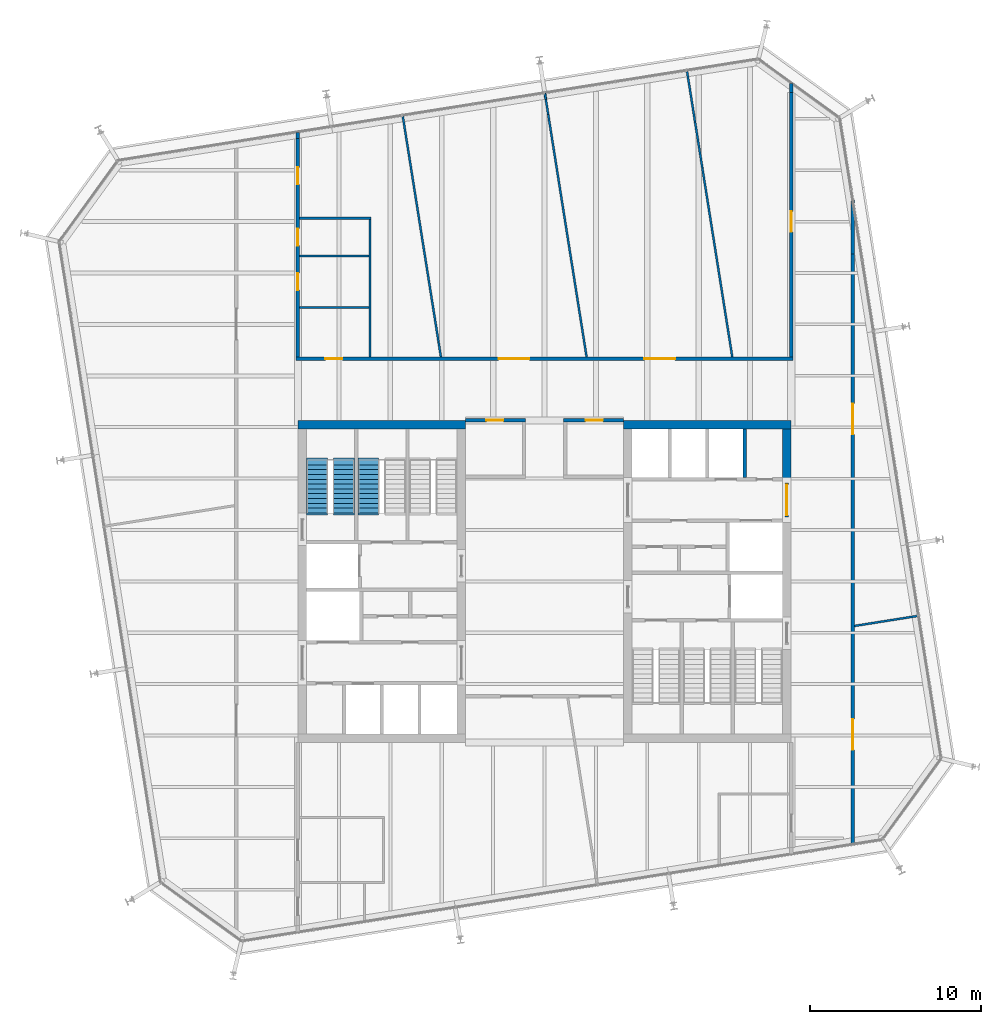
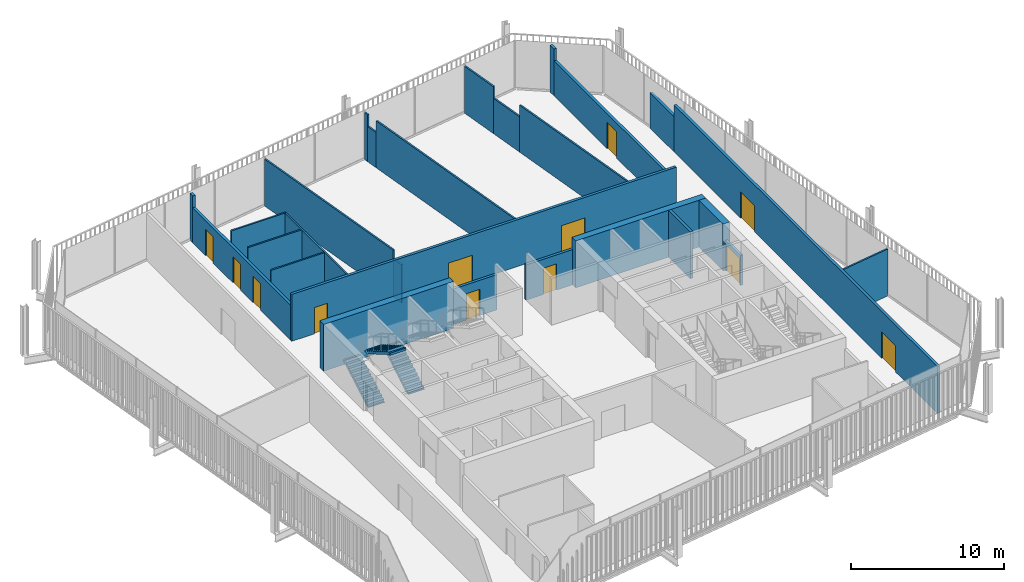
# One storey, part 18 of 20: 27 walls, 12 doors, 3 stair flights, 12 openings, 2 elements without a shape of their own.
"""IFC4 building model written with IfcOpenShell, lengths in metres."""

from ifc_helpers import new_model, si_unit, direction, frame, frame_2d, origin, place, context, subcontext, project, spatial, polyline, rectangle, outline, extrude, material, layer, layer_set, type_object, element, fill, aggregate, save


model = new_model("IFC4")

# Units and contexts
model_context = context("Model", 3, precision=1e-05, world=origin(), true_north=direction((0.0, 1.0)))
body_context = subcontext(model_context, "Body", "Model", "MODEL_VIEW")
ifc_project = project(units=[si_unit("LENGTHUNIT", "METRE"), si_unit("AREAUNIT", "SQUARE_METRE"), si_unit("VOLUMEUNIT", "CUBIC_METRE"), si_unit("PLANEANGLEUNIT", "RADIAN"), si_unit("MASSUNIT", "GRAM", prefix="KILO")], contexts=[model_context])

# Site, building, storey
site_placement = place(None, origin())
site = spatial("IfcSite", under=ifc_project, at=site_placement, CompositionType="ELEMENT")
building_placement = place(site_placement, origin())
building = spatial("IfcBuilding", under=site, at=building_placement, Name="Millrace Tower", CompositionType="ELEMENT")
storey_placement = place(building_placement, frame((0.0, 0.0, 216.39990234375)))
storey = spatial("IfcBuildingStorey", under=building, at=storey_placement, Name="L49", CompositionType="ELEMENT", Elevation=216.39990234375)

# Walls
ifc_material_1 = material(Name="Concrete C60", Category="concrete")
ifc_layer_1 = layer(ifc_material_1, 0.5)
ifc_layer_set_1 = layer_set([ifc_layer_1], Name="Concrete C60")
wall_type_1 = type_object("IfcWallType", Name="Core wall 500 Concrete C60", PredefinedType="SHEAR", material=ifc_layer_set_1)
for number, where, z_axis, x_axis, name in (
    (1, (-14.39990234375, 9.14990234375, 0.0), (0.0, 0.0, 1.0), (1.0, 0.0, 0.0), "Core wall W L49"),
    (2, (14.39990234375, 9.14990234375, 0.0), (0.0, 0.0, 1.0), (-1.0, 0.0, 0.0), "Core wall E L49"),
):
    element("IfcWall", number, at=place(storey_placement, frame(where, z_axis=z_axis, x_axis=x_axis)), inside=storey, type_object=wall_type_1, Name=name, PredefinedType="SHEAR", context=body_context, shape_type="SweptSolid", body=[
        extrude(rectangle(XDim=9.7998046875, YDim=0.5, at=frame_2d((4.89990234375, 0.0))), origin(), (0.0, 0.0, 1.0), 3.739990234375),
    ])
wall_1_placement = place(storey_placement, frame((14.14990234375, 8.89990234375, 0.0), z_axis=(0.0, 0.0, 1.0), x_axis=(0.0, -1.0, 0.0)))
element("IfcWall", 3, at=wall_1_placement, inside=storey, type_object=wall_type_1, Name="Core wall E L49", PredefinedType="SHEAR", context=body_context, shape_type="SweptSolid", body=[
    extrude(rectangle(XDim=3.14990234375, YDim=0.5, at=frame_2d((1.574951171875, 0.0))), origin(), (0.0, 0.0, 1.0), 3.739990234375),
])

# Wall, opening, door
ifc_material_2 = material(Name="Masonry partition, fire-rated", Category="masonry")
ifc_layer_2 = layer(ifc_material_2, 0.199951171875)
ifc_layer_set_2 = layer_set([ifc_layer_2], Name="Masonry partition, fire-rated")
wall_type_2 = type_object("IfcWallType", Name="Corridor wall 200", PredefinedType="PARTITIONING", material=ifc_layer_set_2)
wall_2_placement = place(storey_placement, frame((-4.60009765625, 9.39990234375, 0.0), z_axis=(0.0, 0.0, 1.0), x_axis=(1.0, 0.0, 0.0)))
wall_2 = element("IfcWall", 4, at=wall_2_placement, inside=storey, type_object=wall_type_2, Name="Corridor wall L49", PredefinedType="PARTITIONING", context=body_context, shape_type="SweptSolid", body=[
    extrude(rectangle(XDim=3.5, YDim=0.199951171875, at=frame_2d((1.75, 0.0))), origin(), (0.0, 0.0, 1.0), 2.81298828125),
])
opening_1_placement = place(wall_2_placement, frame((1.199951171875, 0.0, 0.0)))
opening_1 = element("IfcOpeningElement", 5, at=opening_1_placement, cuts=wall_2, Name="Opening 49-P001", PredefinedType="OPENING", context=body_context, shape_type="SweptSolid", body=[
    extrude(rectangle(XDim=1.0, YDim=2.10009765625, at=frame_2d((0.5, 1.050048828125))), frame((0.0, 0.10986328125, 0.0), z_axis=(0.0, -1.0, 0.0), x_axis=(1.0, 0.0, 0.0)), (0.0, 0.0, 1.0), 0.219970703125),
])
ifc_material_3 = material(Name="Steel door set, fire-rated", Category="steel")
door_type_1 = type_object("IfcDoorType", Name="Corridor door 1000 x 2100", OperationType="SINGLE_SWING_LEFT", PredefinedType="DOOR", material=ifc_material_3)
door_1_placement = place(opening_1_placement, frame((1.0, 0.0, 0.0), z_axis=(0.0, 0.0, 1.0), x_axis=(-1.0, 0.0, 0.0)))
door_1 = element("IfcDoor", 6, at=door_1_placement, inside=storey, type_object=door_type_1, Name="Door 49-P001", OperationType="SINGLE_SWING_RIGHT", OverallHeight=2.10009765625, OverallWidth=1.0, PredefinedType="DOOR", context=body_context, shape_type="SweptSolid", body=[
    extrude(rectangle(XDim=1.0, YDim=2.10009765625, at=frame_2d((0.5, 1.050048828125))), frame((0.0, 0.02490234375, 0.0), z_axis=(0.0, -1.0, 0.0), x_axis=(1.0, 0.0, 0.0)), (0.0, 0.0, 1.0), 0.050048828125),
])
fill(opening_1, door_1)

wall_3_placement = place(storey_placement, frame((1.10009765625, 9.39990234375, 0.0), z_axis=(0.0, 0.0, 1.0), x_axis=(1.0, 0.0, 0.0)))
wall_3 = element("IfcWall", 7, at=wall_3_placement, inside=storey, type_object=wall_type_2, Name="Corridor wall L49", PredefinedType="PARTITIONING", context=body_context, shape_type="SweptSolid", body=[
    extrude(rectangle(XDim=3.5, YDim=0.199951171875, at=frame_2d((1.75, 0.0))), origin(), (0.0, 0.0, 1.0), 2.81298828125),
])
opening_2_placement = place(wall_3_placement, frame((1.300048828125, 0.0, 0.0)))
opening_2 = element("IfcOpeningElement", 8, at=opening_2_placement, cuts=wall_3, Name="Opening 49-P002", PredefinedType="OPENING", context=body_context, shape_type="SweptSolid", body=[
    extrude(rectangle(XDim=1.0, YDim=2.10009765625, at=frame_2d((0.5, 1.050048828125))), frame((0.0, 0.10986328125, 0.0), z_axis=(0.0, -1.0, 0.0), x_axis=(1.0, 0.0, 0.0)), (0.0, 0.0, 1.0), 0.219970703125),
])
door_2_placement = place(opening_2_placement, frame((1.0, 0.0, 0.0), z_axis=(0.0, 0.0, 1.0), x_axis=(-1.0, 0.0, 0.0)))
door_2 = element("IfcDoor", 9, at=door_2_placement, inside=storey, type_object=door_type_1, Name="Door 49-P002", OperationType="SINGLE_SWING_RIGHT", OverallHeight=2.10009765625, OverallWidth=1.0, PredefinedType="DOOR", context=body_context, shape_type="SweptSolid", body=[
    extrude(rectangle(XDim=1.0, YDim=2.10009765625, at=frame_2d((0.5, 1.050048828125))), frame((0.0, 0.02490234375, 0.0), z_axis=(0.0, -1.0, 0.0), x_axis=(1.0, 0.0, 0.0)), (0.0, 0.0, 1.0), 0.050048828125),
])
fill(opening_2, door_2)

# Wall, openings, doors
wall_4_placement = place(storey_placement, frame((-14.5, 13.0, 0.0), z_axis=(0.0, 0.0, 1.0), x_axis=(1.0, 0.0, 0.0)))
wall_4 = element("IfcWall", 10, at=wall_4_placement, inside=storey, type_object=wall_type_2, Name="Corridor wall L49", PredefinedType="PARTITIONING", context=body_context, shape_type="SweptSolid", body=[
    extrude(rectangle(XDim=29.0, YDim=0.199951171875, at=frame_2d((14.5, 0.0))), origin(), (0.0, 0.0, 1.0), 3.739990234375),
])
opening_3_placement = place(wall_4_placement, frame((1.699951171875, 0.0, 0.0)))
opening_3 = element("IfcOpeningElement", 11, at=opening_3_placement, cuts=wall_4, Name="Opening 49-P006", PredefinedType="OPENING", context=body_context, shape_type="SweptSolid", body=[
    extrude(rectangle(XDim=1.0, YDim=2.10009765625, at=frame_2d((0.5, 1.050048828125))), frame((0.0, 0.10986328125, 0.0), z_axis=(0.0, -1.0, 0.0), x_axis=(1.0, 0.0, 0.0)), (0.0, 0.0, 1.0), 0.219970703125),
])
opening_4_placement = place(wall_4_placement, frame((11.819580078125, 0.0, 0.0)))
opening_4 = element("IfcOpeningElement", 12, at=opening_4_placement, cuts=wall_4, Name="Opening 49-P009", PredefinedType="OPENING", context=body_context, shape_type="SweptSolid", body=[
    extrude(rectangle(XDim=1.800048828125, YDim=2.10009765625, at=frame_2d((0.89990234375, 1.050048828125))), frame((0.0, 0.10986328125, 0.0), z_axis=(0.0, -1.0, 0.0), x_axis=(1.0, 0.0, 0.0)), (0.0, 0.0, 1.0), 0.219970703125),
])
opening_5_placement = place(wall_4_placement, frame((20.324462890625, 0.0, 0.0)))
opening_5 = element("IfcOpeningElement", 13, at=opening_5_placement, cuts=wall_4, Name="Opening 49-P010", PredefinedType="OPENING", context=body_context, shape_type="SweptSolid", body=[
    extrude(rectangle(XDim=1.800048828125, YDim=2.10009765625, at=frame_2d((0.89990234375, 1.050048828125))), frame((0.0, 0.10986328125, 0.0), z_axis=(0.0, -1.0, 0.0), x_axis=(1.0, 0.0, 0.0)), (0.0, 0.0, 1.0), 0.219970703125),
])
door_3_placement = place(opening_3_placement, origin())
door_3 = element("IfcDoor", 14, at=door_3_placement, inside=storey, type_object=door_type_1, Name="Door 49-P006", OperationType="SINGLE_SWING_LEFT", OverallHeight=2.10009765625, OverallWidth=1.0, PredefinedType="DOOR", context=body_context, shape_type="SweptSolid", body=[
    extrude(rectangle(XDim=1.0, YDim=2.10009765625, at=frame_2d((0.5, 1.050048828125))), frame((0.0, 0.02490234375, 0.0), z_axis=(0.0, -1.0, 0.0), x_axis=(1.0, 0.0, 0.0)), (0.0, 0.0, 1.0), 0.050048828125),
])
fill(opening_3, door_3)
ifc_material_4 = material(Name="Steel door set, fire-rated", Category="steel")
door_type_2 = type_object("IfcDoorType", Name="Corridor door 1800 x 2100", OperationType="DOUBLE_DOOR_SINGLE_SWING", PredefinedType="DOOR", material=ifc_material_4)
door_4_placement = place(opening_4_placement, origin())
door_4 = element("IfcDoor", 15, at=door_4_placement, inside=storey, type_object=door_type_2, Name="Door 49-P009", OperationType="DOUBLE_DOOR_SINGLE_SWING", OverallHeight=2.10009765625, OverallWidth=1.800048828125, PredefinedType="DOOR", context=body_context, shape_type="SweptSolid", body=[
    extrude(rectangle(XDim=1.800048828125, YDim=2.10009765625, at=frame_2d((0.89990234375, 1.050048828125))), frame((0.0, 0.02490234375, 0.0), z_axis=(0.0, -1.0, 0.0), x_axis=(1.0, 0.0, 0.0)), (0.0, 0.0, 1.0), 0.050048828125),
])
fill(opening_4, door_4)
door_5_placement = place(opening_5_placement, origin())
door_5 = element("IfcDoor", 16, at=door_5_placement, inside=storey, type_object=door_type_2, Name="Door 49-P010", OperationType="DOUBLE_DOOR_SINGLE_SWING", OverallHeight=2.10009765625, OverallWidth=1.800048828125, PredefinedType="DOOR", context=body_context, shape_type="SweptSolid", body=[
    extrude(rectangle(XDim=1.800048828125, YDim=2.10009765625, at=frame_2d((0.89990234375, 1.050048828125))), frame((0.0, 0.02490234375, 0.0), z_axis=(0.0, -1.0, 0.0), x_axis=(1.0, 0.0, 0.0)), (0.0, 0.0, 1.0), 0.050048828125),
])
fill(opening_5, door_5)

wall_5_placement = place(storey_placement, frame((18.0, -15.304443359375, 0.0), z_axis=(0.0, 0.0, 1.0), x_axis=(0.0, 1.0, 0.0)))
wall_5 = element("IfcWall", 17, at=wall_5_placement, inside=storey, type_object=wall_type_2, Name="Corridor wall L49", PredefinedType="PARTITIONING", context=body_context, shape_type="SweptSolid", body=[
    extrude(rectangle(XDim=34.421630859375, YDim=0.199951171875, at=frame_2d((17.2109375, 0.0))), origin(), (0.0, 0.0, 1.0), 3.739990234375),
])
opening_6_placement = place(wall_5_placement, frame((5.46826171875, 0.0, 0.0)))
opening_6 = element("IfcOpeningElement", 18, at=opening_6_placement, cuts=wall_5, Name="Opening 49-P012", PredefinedType="OPENING", context=body_context, shape_type="SweptSolid", body=[
    extrude(rectangle(XDim=1.800048828125, YDim=2.10009765625, at=frame_2d((0.89990234375, 1.050048828125))), frame((0.0, 0.10986328125, 0.0), z_axis=(0.0, -1.0, 0.0), x_axis=(1.0, 0.0, 0.0)), (0.0, 0.0, 1.0), 0.219970703125),
])
opening_7_placement = place(wall_5_placement, frame((23.887939453125, 0.0, 0.0)))
opening_7 = element("IfcOpeningElement", 19, at=opening_7_placement, cuts=wall_5, Name="Opening 49-P013", PredefinedType="OPENING", context=body_context, shape_type="SweptSolid", body=[
    extrude(rectangle(XDim=1.800048828125, YDim=2.10009765625, at=frame_2d((0.89990234375, 1.050048828125))), frame((0.0, 0.10986328125, 0.0), z_axis=(0.0, -1.0, 0.0), x_axis=(1.0, 0.0, 0.0)), (0.0, 0.0, 1.0), 0.219970703125),
])
door_6_placement = place(opening_6_placement, frame((1.800048828125, 0.0, 0.0), z_axis=(0.0, 0.0, 1.0), x_axis=(-1.0, 0.0, 0.0)))
door_6 = element("IfcDoor", 20, at=door_6_placement, inside=storey, type_object=door_type_2, Name="Door 49-P012", OperationType="DOUBLE_DOOR_SINGLE_SWING", OverallHeight=2.10009765625, OverallWidth=1.800048828125, PredefinedType="DOOR", context=body_context, shape_type="SweptSolid", body=[
    extrude(rectangle(XDim=1.800048828125, YDim=2.10009765625, at=frame_2d((0.89990234375, 1.050048828125))), frame((0.0, 0.02490234375, 0.0), z_axis=(0.0, -1.0, 0.0), x_axis=(1.0, 0.0, 0.0)), (0.0, 0.0, 1.0), 0.050048828125),
])
fill(opening_6, door_6)
door_7_placement = place(opening_7_placement, frame((1.800048828125, 0.0, 0.0), z_axis=(0.0, 0.0, 1.0), x_axis=(-1.0, 0.0, 0.0)))
door_7 = element("IfcDoor", 21, at=door_7_placement, inside=storey, type_object=door_type_2, Name="Door 49-P013", OperationType="DOUBLE_DOOR_SINGLE_SWING", OverallHeight=2.10009765625, OverallWidth=1.800048828125, PredefinedType="DOOR", context=body_context, shape_type="SweptSolid", body=[
    extrude(rectangle(XDim=1.800048828125, YDim=2.10009765625, at=frame_2d((0.89990234375, 1.050048828125))), frame((0.0, 0.02490234375, 0.0), z_axis=(0.0, -1.0, 0.0), x_axis=(1.0, 0.0, 0.0)), (0.0, 0.0, 1.0), 0.050048828125),
])
fill(opening_7, door_7)

# Wall
wall_6_placement = place(storey_placement, frame((18.0, 19.1171875, 0.0), z_axis=(0.0, 0.0, 1.0), x_axis=(0.0, 1.0, 0.0)))
element("IfcWall", 22, at=wall_6_placement, inside=storey, type_object=wall_type_2, Name="Corridor wall L49", PredefinedType="PARTITIONING", context=body_context, shape_type="SweptSolid", body=[
    extrude(rectangle(XDim=3.137451171875, YDim=0.199951171875, at=frame_2d((1.56884765625, 0.0))), origin(), (0.0, 0.0, 1.0), 2.81298828125),
])

# Wall, opening, door
wall_7_placement = place(storey_placement, frame((14.39990234375, 13.10009765625, 0.0), z_axis=(0.0, 0.0, 1.0), x_axis=(0.0, 1.0, 0.0)))
wall_7 = element("IfcWall", 23, at=wall_7_placement, inside=storey, type_object=wall_type_2, Name="Corridor wall L49", PredefinedType="PARTITIONING", context=body_context, shape_type="SweptSolid", body=[
    extrude(rectangle(XDim=15.440673828125, YDim=0.199951171875, at=frame_2d((7.72021484375, 0.0))), origin(), (0.0, 0.0, 1.0), 2.792724609375),
])
opening_8_placement = place(wall_7_placement, frame((7.298095703125, 0.0, 0.0)))
opening_8 = element("IfcOpeningElement", 24, at=opening_8_placement, cuts=wall_7, Name="Opening 49-P011", PredefinedType="OPENING", context=body_context, shape_type="SweptSolid", body=[
    extrude(rectangle(XDim=1.199951171875, YDim=2.10009765625, at=frame_2d((0.60009765625, 1.050048828125))), frame((0.0, 0.10986328125, 0.0), z_axis=(0.0, -1.0, 0.0), x_axis=(1.0, 0.0, 0.0)), (0.0, 0.0, 1.0), 0.219970703125),
])
ifc_material_5 = material(Name="Steel door set, fire-rated", Category="steel")
door_type_3 = type_object("IfcDoorType", Name="Corridor door 1200 x 2100", OperationType="SINGLE_SWING_LEFT", PredefinedType="DOOR", material=ifc_material_5)
door_8_placement = place(opening_8_placement, origin())
door_8 = element("IfcDoor", 25, at=door_8_placement, inside=storey, type_object=door_type_3, Name="Door 49-P011", OperationType="SINGLE_SWING_LEFT", OverallHeight=2.10009765625, OverallWidth=1.199951171875, PredefinedType="DOOR", context=body_context, shape_type="SweptSolid", body=[
    extrude(rectangle(XDim=1.199951171875, YDim=2.10009765625, at=frame_2d((0.60009765625, 1.050048828125))), frame((0.0, 0.02490234375, 0.0), z_axis=(0.0, -1.0, 0.0), x_axis=(1.0, 0.0, 0.0)), (0.0, 0.0, 1.0), 0.050048828125),
])
fill(opening_8, door_8)

# Wall
wall_8_placement = place(storey_placement, frame((14.39990234375, 28.540771484375, 0.0), z_axis=(0.0, 0.0, 1.0), x_axis=(0.0, 1.0, 0.0)))
element("IfcWall", 26, at=wall_8_placement, inside=storey, type_object=wall_type_2, Name="Corridor wall L49", PredefinedType="PARTITIONING", context=body_context, shape_type="SweptSolid", body=[
    extrude(rectangle(XDim=0.51708984375, YDim=0.199951171875, at=frame_2d((0.258544921875, 0.0))), origin(), (0.0, 0.0, 1.0), 3.739990234375),
])

# Wall, openings, doors
wall_9_placement = place(storey_placement, frame((-14.39990234375, 13.10009765625, 0.0), z_axis=(0.0, 0.0, 1.0), x_axis=(0.0, 1.0, 0.0)))
wall_9 = element("IfcWall", 27, at=wall_9_placement, inside=storey, type_object=wall_type_2, Name="Corridor wall L49", PredefinedType="PARTITIONING", context=body_context, shape_type="SweptSolid", body=[
    extrude(rectangle(XDim=12.74853515625, YDim=0.199951171875, at=frame_2d((6.374267578125, 0.0))), origin(), (0.0, 0.0, 1.0), 2.792724609375),
])
opening_9_placement = place(wall_9_placement, frame((10.073974609375, 0.0, 0.0)))
opening_9 = element("IfcOpeningElement", 28, at=opening_9_placement, cuts=wall_9, Name="Opening 49-P005", PredefinedType="OPENING", context=body_context, shape_type="SweptSolid", body=[
    extrude(rectangle(XDim=1.0, YDim=2.10009765625, at=frame_2d((0.5, 1.050048828125))), frame((0.0, 0.10986328125, 0.0), z_axis=(0.0, -1.0, 0.0), x_axis=(1.0, 0.0, 0.0)), (0.0, 0.0, 1.0), 0.219970703125),
])
opening_10_placement = place(wall_9_placement, frame((3.89990234375, 0.0, 0.0)))
opening_10 = element("IfcOpeningElement", 29, at=opening_10_placement, cuts=wall_9, Name="Opening 49-P007", PredefinedType="OPENING", context=body_context, shape_type="SweptSolid", body=[
    extrude(rectangle(XDim=1.0, YDim=2.10009765625, at=frame_2d((0.5, 1.050048828125))), frame((0.0, 0.10986328125, 0.0), z_axis=(0.0, -1.0, 0.0), x_axis=(1.0, 0.0, 0.0)), (0.0, 0.0, 1.0), 0.219970703125),
])
opening_11_placement = place(wall_9_placement, frame((6.5, 0.0, 0.0)))
opening_11 = element("IfcOpeningElement", 30, at=opening_11_placement, cuts=wall_9, Name="Opening 49-P008", PredefinedType="OPENING", context=body_context, shape_type="SweptSolid", body=[
    extrude(rectangle(XDim=1.0, YDim=2.10009765625, at=frame_2d((0.5, 1.050048828125))), frame((0.0, 0.10986328125, 0.0), z_axis=(0.0, -1.0, 0.0), x_axis=(1.0, 0.0, 0.0)), (0.0, 0.0, 1.0), 0.219970703125),
])
door_9_placement = place(opening_9_placement, frame((1.0, 0.0, 0.0), z_axis=(0.0, 0.0, 1.0), x_axis=(-1.0, 0.0, 0.0)))
door_9 = element("IfcDoor", 31, at=door_9_placement, inside=storey, type_object=door_type_1, Name="Door 49-P005", OperationType="SINGLE_SWING_LEFT", OverallHeight=2.10009765625, OverallWidth=1.0, PredefinedType="DOOR", context=body_context, shape_type="SweptSolid", body=[
    extrude(rectangle(XDim=1.0, YDim=2.10009765625, at=frame_2d((0.5, 1.050048828125))), frame((0.0, 0.02490234375, 0.0), z_axis=(0.0, -1.0, 0.0), x_axis=(1.0, 0.0, 0.0)), (0.0, 0.0, 1.0), 0.050048828125),
])
fill(opening_9, door_9)
door_10_placement = place(opening_10_placement, frame((1.0, 0.0, 0.0), z_axis=(0.0, 0.0, 1.0), x_axis=(-1.0, 0.0, 0.0)))
door_10 = element("IfcDoor", 32, at=door_10_placement, inside=storey, type_object=door_type_1, Name="Door 49-P007", OperationType="SINGLE_SWING_RIGHT", OverallHeight=2.10009765625, OverallWidth=1.0, PredefinedType="DOOR", context=body_context, shape_type="SweptSolid", body=[
    extrude(rectangle(XDim=1.0, YDim=2.10009765625, at=frame_2d((0.5, 1.050048828125))), frame((0.0, 0.02490234375, 0.0), z_axis=(0.0, -1.0, 0.0), x_axis=(1.0, 0.0, 0.0)), (0.0, 0.0, 1.0), 0.050048828125),
])
fill(opening_10, door_10)
door_11_placement = place(opening_11_placement, frame((1.0, 0.0, 0.0), z_axis=(0.0, 0.0, 1.0), x_axis=(-1.0, 0.0, 0.0)))
door_11 = element("IfcDoor", 33, at=door_11_placement, inside=storey, type_object=door_type_1, Name="Door 49-P008", OperationType="SINGLE_SWING_LEFT", OverallHeight=2.10009765625, OverallWidth=1.0, PredefinedType="DOOR", context=body_context, shape_type="SweptSolid", body=[
    extrude(rectangle(XDim=1.0, YDim=2.10009765625, at=frame_2d((0.5, 1.050048828125))), frame((0.0, 0.02490234375, 0.0), z_axis=(0.0, -1.0, 0.0), x_axis=(1.0, 0.0, 0.0)), (0.0, 0.0, 1.0), 0.050048828125),
])
fill(opening_11, door_11)

# Walls
wall_10_placement = place(storey_placement, frame((-14.39990234375, 25.8486328125, 0.0), z_axis=(0.0, 0.0, 1.0), x_axis=(0.0, 1.0, 0.0)))
element("IfcWall", 34, at=wall_10_placement, inside=storey, type_object=wall_type_2, Name="Corridor wall L49", PredefinedType="PARTITIONING", context=body_context, shape_type="SweptSolid", body=[
    extrude(rectangle(XDim=0.349609375, YDim=0.199951171875, at=frame_2d((0.1748046875, 0.0))), origin(), (0.0, 0.0, 1.0), 3.739990234375),
])
ifc_material_6 = material(Name="Masonry partition, fire-rated", Category="masonry")
ifc_layer_3 = layer(ifc_material_6, 0.199951171875)
ifc_layer_set_3 = layer_set([ifc_layer_3], Name="Masonry partition, fire-rated")
wall_type_3 = type_object("IfcWallType", Name="Lift shaft wall 200", PredefinedType="PARTITIONING", material=ifc_layer_set_3)
wall_11_placement = place(storey_placement, frame((11.699951171875, 8.89990234375, 0.0), z_axis=(0.0, 0.0, 1.0), x_axis=(0.0, -1.0, 0.0)))
element("IfcWall", 35, at=wall_11_placement, inside=storey, type_object=wall_type_3, Name="Lift shaft wall E L49", PredefinedType="PARTITIONING", context=body_context, shape_type="SweptSolid", body=[
    extrude(rectangle(XDim=2.849853515625, YDim=0.199951171875, at=frame_2d((1.4248046875, 0.0))), origin(), (0.0, 0.0, 1.0), 3.739990234375),
])

# Wall, opening, door
ifc_material_7 = material(Name="Masonry partition, fire-rated", Category="masonry")
ifc_layer_4 = layer(ifc_material_7, 0.199951171875)
ifc_layer_set_4 = layer_set([ifc_layer_4], Name="Masonry partition, fire-rated")
wall_type_4 = type_object("IfcWallType", Name="Lobby wall 200", PredefinedType="PARTITIONING", material=ifc_layer_set_4)
wall_12_placement = place(storey_placement, frame((14.14990234375, 5.75, 0.0), z_axis=(0.0, 0.0, 1.0), x_axis=(0.0, -1.0, 0.0)))
wall_12 = element("IfcWall", 36, at=wall_12_placement, inside=storey, type_object=wall_type_4, Name="Lobby wall E L49", PredefinedType="PARTITIONING", context=body_context, shape_type="SweptSolid", body=[
    extrude(rectangle(XDim=2.0, YDim=0.199951171875, at=frame_2d((1.0, 0.0))), origin(), (0.0, 0.0, 1.0), 2.400146484375),
])
opening_12_placement = place(wall_12_placement, frame((0.10009765625, 0.0, 0.0)))
opening_12 = element("IfcOpeningElement", 37, at=opening_12_placement, cuts=wall_12, Name="Opening 49-C011", PredefinedType="OPENING", context=body_context, shape_type="SweptSolid", body=[
    extrude(rectangle(XDim=1.800048828125, YDim=2.10009765625, at=frame_2d((0.89990234375, 1.050048828125))), frame((0.0, 0.10986328125, 0.0), z_axis=(0.0, -1.0, 0.0), x_axis=(1.0, 0.0, 0.0)), (0.0, 0.0, 1.0), 0.219970703125),
])
ifc_material_8 = material(Name="Steel door, fire-rated", Category="steel")
door_type_4 = type_object("IfcDoorType", Name="Lobby door 1800 x 2100", OperationType="DOUBLE_DOOR_SINGLE_SWING", PredefinedType="DOOR", material=ifc_material_8)
door_12_placement = place(opening_12_placement, origin())
door_12 = element("IfcDoor", 38, at=door_12_placement, inside=storey, type_object=door_type_4, Name="Lobby door 49-C011", OperationType="DOUBLE_DOOR_SINGLE_SWING", OverallHeight=2.10009765625, OverallWidth=1.800048828125, PredefinedType="DOOR", context=body_context, shape_type="SweptSolid", body=[
    extrude(rectangle(XDim=1.800048828125, YDim=2.10009765625, at=frame_2d((0.89990234375, 1.050048828125))), frame((0.0, 0.02490234375, 0.0), z_axis=(0.0, -1.0, 0.0), x_axis=(1.0, 0.0, 0.0)), (0.0, 0.0, 1.0), 0.050048828125),
])
fill(opening_12, door_12)

# Walls
ifc_material_9 = material(Name="Gypsum board partition")
ifc_layer_5 = layer(ifc_material_9, 0.1201171875)
ifc_layer_set_5 = layer_set([ifc_layer_5], Name="Gypsum board partition")
wall_type_5 = type_object("IfcWallType", Name="Partition wall 120", PredefinedType="PARTITIONING", material=ifc_layer_set_5)
wall_13_placement = place(storey_placement, frame((-8.27685546875, 27.16796875, 0.0), z_axis=(0.0, 0.0, 1.0), x_axis=(0.156429057976, -0.987689196975, 0.0)))
element("IfcWall", 39, at=wall_13_placement, inside=storey, type_object=wall_type_5, Name="Partition wall L49", PredefinedType="PARTITIONING", context=body_context, shape_type="SweptSolid", body=[
    extrude(rectangle(XDim=13.356689453125, YDim=0.1201171875, at=frame_2d((6.67822265625, 0.0))), origin(), (0.0, 0.0, 1.0), 3.739990234375),
])
wall_14_placement = place(storey_placement, frame((-6.1875, 13.975830078125, 0.0), z_axis=(0.0, 0.0, 1.0), x_axis=(0.156456753073, -0.98768481026, 0.0)))
element("IfcWall", 40, at=wall_14_placement, inside=storey, type_object=wall_type_5, Name="Partition wall L49", PredefinedType="PARTITIONING", context=body_context, shape_type="SweptSolid", body=[
    extrude(rectangle(XDim=0.887939453125, YDim=0.1201171875, at=frame_2d((0.44384765625, 0.0))), origin(), (0.0, 0.0, 1.0), 3.046630859375),
])
wall_15_placement = place(storey_placement, frame((0.020263671875, 28.482177734375, 0.0), z_axis=(0.0, 0.0, 1.0), x_axis=(0.155999489422, -0.987757135788, 0.0)))
element("IfcWall", 41, at=wall_15_placement, inside=storey, type_object=wall_type_5, Name="Partition wall L49", PredefinedType="PARTITIONING", context=body_context, shape_type="SweptSolid", body=[
    extrude(rectangle(XDim=0.339599609375, YDim=0.1201171875, at=frame_2d((0.169921875, 0.0))), origin(), (0.0, 0.0, 1.0), 3.739990234375),
])
wall_16_placement = place(storey_placement, frame((0.0732421875, 28.146728515625, 0.0), z_axis=(0.0, 0.0, 1.0), x_axis=(0.156454153155, -0.987685222103, 0.0)))
element("IfcWall", 42, at=wall_16_placement, inside=storey, type_object=wall_type_5, Name="Partition wall L49", PredefinedType="PARTITIONING", context=body_context, shape_type="SweptSolid", body=[
    extrude(rectangle(XDim=0.892578125, YDim=0.1201171875, at=frame_2d((0.4462890625, 0.0))), origin(), (0.0, 0.0, 1.0), 2.81298828125),
])
wall_17_placement = place(storey_placement, frame((0.212890625, 27.26513671875, 0.0), z_axis=(0.0, 0.0, 1.0), x_axis=(0.156413589686, -0.9876916467, 0.0)))
element("IfcWall", 43, at=wall_17_placement, inside=storey, type_object=wall_type_5, Name="Partition wall L49", PredefinedType="PARTITIONING", context=body_context, shape_type="SweptSolid", body=[
    extrude(rectangle(XDim=14.3427734375, YDim=0.1201171875, at=frame_2d((7.17138671875, 0.0))), origin(), (0.0, 0.0, 1.0), 3.739990234375),
])
wall_18_placement = place(storey_placement, frame((8.316162109375, 29.796142578125, 0.0), z_axis=(0.0, 0.0, 1.0), x_axis=(0.15649998255, -0.987677961413, 0.0)))
element("IfcWall", 44, at=wall_18_placement, inside=storey, type_object=wall_type_5, Name="Partition wall L49", PredefinedType="PARTITIONING", context=body_context, shape_type="SweptSolid", body=[
    extrude(rectangle(XDim=3.00927734375, YDim=0.1201171875, at=frame_2d((1.504638671875, 0.0))), origin(), (0.0, 0.0, 1.0), 3.739990234375),
])
wall_19_placement = place(storey_placement, frame((8.787109375, 26.823974609375, 0.0), z_axis=(0.0, 0.0, 1.0), x_axis=(0.156436996348, -0.987687939672, 0.0)))
element("IfcWall", 45, at=wall_19_placement, inside=storey, type_object=wall_type_5, Name="Partition wall L49", PredefinedType="PARTITIONING", context=body_context, shape_type="SweptSolid", body=[
    extrude(rectangle(XDim=2.7216796875, YDim=0.1201171875, at=frame_2d((1.36083984375, 0.0))), origin(), (0.0, 0.0, 1.0), 2.81298828125),
])
wall_20_placement = place(storey_placement, frame((9.212890625, 24.1357421875, 0.0), z_axis=(0.0, 0.0, 1.0), x_axis=(0.156475271536, -0.987681876617, 0.0)))
element("IfcWall", 46, at=wall_20_placement, inside=storey, type_object=wall_type_5, Name="Partition wall L49", PredefinedType="PARTITIONING", context=body_context, shape_type="SweptSolid", body=[
    extrude(rectangle(XDim=11.174560546875, YDim=0.1201171875, at=frame_2d((5.58740234375, 0.0))), origin(), (0.0, 0.0, 1.0), 3.739990234375),
])
for number, where, z_axis, x_axis, name in (
    (47, (-14.300048828125, 16.0, 0.0), (0.0, 0.0, 1.0), (1.0, 0.0, 0.0), "Partition wall L49"),
    (48, (-14.300048828125, 19.0, 0.0), (0.0, 0.0, 1.0), (1.0, 0.0, 0.0), "Partition wall L49"),
):
    element("IfcWall", number, at=place(storey_placement, frame(where, z_axis=z_axis, x_axis=x_axis)), inside=storey, type_object=wall_type_5, Name=name, PredefinedType="PARTITIONING", context=body_context, shape_type="SweptSolid", body=[
        extrude(rectangle(XDim=4.0400390625, YDim=0.1201171875, at=frame_2d((2.02001953125, 0.0))), origin(), (0.0, 0.0, 1.0), 3.739990234375),
    ])
wall_21_placement = place(storey_placement, frame((-14.300048828125, 21.199951171875, 0.0), z_axis=(0.0, 0.0, 1.0), x_axis=(1.0, 0.0, 0.0)))
element("IfcWall", 49, at=wall_21_placement, inside=storey, type_object=wall_type_5, Name="Partition wall L49", PredefinedType="PARTITIONING", context=body_context, shape_type="SweptSolid", body=[
    extrude(rectangle(XDim=4.16015625, YDim=0.1201171875, at=frame_2d((2.080078125, 0.0))), origin(), (0.0, 0.0, 1.0), 3.739990234375),
])
wall_22_placement = place(storey_placement, frame((18.098876953125, -2.602294921875, 0.0), z_axis=(0.0, 0.0, 1.0), x_axis=(0.987708331923, 0.156308192521, 0.0)))
element("IfcWall", 50, at=wall_22_placement, inside=storey, type_object=wall_type_5, Name="Partition wall L49", PredefinedType="PARTITIONING", context=body_context, shape_type="SweptSolid", body=[
    extrude(rectangle(XDim=3.736083984375, YDim=0.1201171875, at=frame_2d((1.8681640625, 0.0))), origin(), (0.0, 0.0, 1.0), 3.739990234375),
])
wall_23_placement = place(storey_placement, frame((-10.199951171875, 13.10009765625, 0.0), z_axis=(0.0, 0.0, 1.0), x_axis=(0.0, 1.0, 0.0)))
element("IfcWall", 51, at=wall_23_placement, inside=storey, type_object=wall_type_5, Name="Partition wall L49", PredefinedType="PARTITIONING", context=body_context, shape_type="SweptSolid", body=[
    extrude(rectangle(XDim=8.039794921875, YDim=0.1201171875, at=frame_2d((4.02001953125, 0.0))), origin(), (0.0, 0.0, 1.0), 3.739990234375),
])

# Stair, stair flights
ifc_material_10 = material(Name="Concrete C35", Category="concrete")
stair_type = type_object("IfcStairType", Name="Exit stair", PredefinedType="HALF_TURN_STAIR", material=ifc_material_10)
placement = place(storey_placement, origin())
stair_1 = element("IfcStair", 52, at=placement, inside=storey, type_object=stair_type, Name="Stair 1 W L49", PredefinedType="HALF_TURN_STAIR")
ifc_material_11 = material(Name="Concrete C35", Category="concrete")
stair_flight_type = type_object("IfcStairFlightType", Name="Exit stair flight", PredefinedType="STRAIGHT", material=ifc_material_11)
stair_flight_1_placement = place(storey_placement, frame((-13.2900390625, 4.0, 0.0), z_axis=(0.0, 0.0, 1.0), x_axis=(0.0, 1.0, 0.0)))
stair_flight_1 = element("IfcStairFlight", 53, at=stair_flight_1_placement, type_object=stair_flight_type, Name="ST12 flight 1", NumberOfRisers=12, NumberOfTreads=11, PredefinedType="STRAIGHT", RiserHeight=0.1625, TreadLength=0.28, context=body_context, shape_type="SweptSolid", body=[
    extrude(outline(polyline([(-0.1201171875, -0.0400390625), (-0.1201171875, 0.0), (0.0, 0.0), (0.0, 0.16259765625), (0.280029296875, 0.16259765625), (0.280029296875, 0.324951171875), (0.56005859375, 0.324951171875), (0.56005859375, 0.487548828125), (0.840087890625, 0.487548828125), (0.840087890625, 0.64990234375), (1.1201171875, 0.64990234375), (1.1201171875, 0.8125), (1.39990234375, 0.8125), (1.39990234375, 0.97509765625), (1.679931640625, 0.97509765625), (1.679931640625, 1.137451171875), (1.9599609375, 1.137451171875), (1.9599609375, 1.300048828125), (2.239990234375, 1.300048828125), (2.239990234375, 1.46240234375), (2.52001953125, 1.46240234375), (2.52001953125, 1.625), (2.800048828125, 1.625), (2.800048828125, 1.78759765625), (3.080078125, 1.78759765625), (3.080078125, 1.8076171875), (3.199951171875, 1.8076171875), (3.199951171875, 1.6142578125), (3.080078125, 1.6142578125), (0.298583984375, 0.0), (0.298583984375, -0.0400390625), (-0.1201171875, -0.0400390625)])), frame((0.0, 0.60986328125, 0.0), z_axis=(0.0, -1.0, 0.0), x_axis=(1.0, 0.0, 0.0)), (0.0, 0.0, 1.0), 1.219970703125),
])
stair_flight_2_placement = place(storey_placement, frame((-11.7099609375, 7.080078125, 1.9501953125), z_axis=(0.0, 0.0, 1.0), x_axis=(0.0, -1.0, 0.0)))
stair_flight_2 = element("IfcStairFlight", 54, at=stair_flight_2_placement, type_object=stair_flight_type, Name="ST12 flight 2", NumberOfRisers=12, NumberOfTreads=11, PredefinedType="STRAIGHT", RiserHeight=0.1625, TreadLength=0.28, context=body_context, shape_type="SweptSolid", body=[
    extrude(outline(polyline([(-0.1201171875, -0.0400390625), (-0.1201171875, 0.0), (0.0, 0.0), (0.0, 0.16259765625), (0.280029296875, 0.16259765625), (0.280029296875, 0.324951171875), (0.56005859375, 0.324951171875), (0.56005859375, 0.487548828125), (0.840087890625, 0.487548828125), (0.840087890625, 0.64990234375), (1.1201171875, 0.64990234375), (1.1201171875, 0.8125), (1.39990234375, 0.8125), (1.39990234375, 0.97509765625), (1.679931640625, 0.97509765625), (1.679931640625, 1.137451171875), (1.9599609375, 1.137451171875), (1.9599609375, 1.300048828125), (2.239990234375, 1.300048828125), (2.239990234375, 1.46240234375), (2.52001953125, 1.46240234375), (2.52001953125, 1.625), (2.800048828125, 1.625), (2.800048828125, 1.78759765625), (3.080078125, 1.78759765625), (3.080078125, 1.8076171875), (3.199951171875, 1.8076171875), (3.199951171875, 1.6142578125), (3.080078125, 1.6142578125), (0.298583984375, 0.0), (0.298583984375, -0.0400390625), (-0.1201171875, -0.0400390625)])), frame((0.0, 0.60986328125, 0.0), z_axis=(0.0, -1.0, 0.0), x_axis=(1.0, 0.0, 0.0)), (0.0, 0.0, 1.0), 1.219970703125),
])
aggregate(stair_1, [stair_flight_1, stair_flight_2])

# Stair, stair flight
stair_2 = element("IfcStair", 55, at=placement, inside=storey, type_object=stair_type, Name="Stair 2 W L49", PredefinedType="HALF_TURN_STAIR")
stair_flight_3_placement = place(storey_placement, frame((-10.2900390625, 4.0, 0.0), z_axis=(0.0, 0.0, 1.0), x_axis=(0.0, 1.0, 0.0)))
stair_flight_3 = element("IfcStairFlight", 56, at=stair_flight_3_placement, type_object=stair_flight_type, Name="ST12 flight 1", NumberOfRisers=12, NumberOfTreads=11, PredefinedType="STRAIGHT", RiserHeight=0.1625, TreadLength=0.28, context=body_context, shape_type="SweptSolid", body=[
    extrude(outline(polyline([(-0.1201171875, -0.0400390625), (-0.1201171875, 0.0), (0.0, 0.0), (0.0, 0.16259765625), (0.280029296875, 0.16259765625), (0.280029296875, 0.324951171875), (0.56005859375, 0.324951171875), (0.56005859375, 0.487548828125), (0.840087890625, 0.487548828125), (0.840087890625, 0.64990234375), (1.1201171875, 0.64990234375), (1.1201171875, 0.8125), (1.39990234375, 0.8125), (1.39990234375, 0.97509765625), (1.679931640625, 0.97509765625), (1.679931640625, 1.137451171875), (1.9599609375, 1.137451171875), (1.9599609375, 1.300048828125), (2.239990234375, 1.300048828125), (2.239990234375, 1.46240234375), (2.52001953125, 1.46240234375), (2.52001953125, 1.625), (2.800048828125, 1.625), (2.800048828125, 1.78759765625), (3.080078125, 1.78759765625), (3.080078125, 1.8076171875), (3.199951171875, 1.8076171875), (3.199951171875, 1.6142578125), (3.080078125, 1.6142578125), (0.298583984375, 0.0), (0.298583984375, -0.0400390625), (-0.1201171875, -0.0400390625)])), frame((0.0, 0.60986328125, 0.0), z_axis=(0.0, -1.0, 0.0), x_axis=(1.0, 0.0, 0.0)), (0.0, 0.0, 1.0), 1.219970703125),
])
aggregate(stair_2, [stair_flight_3])

save(model, "model.ifc")
